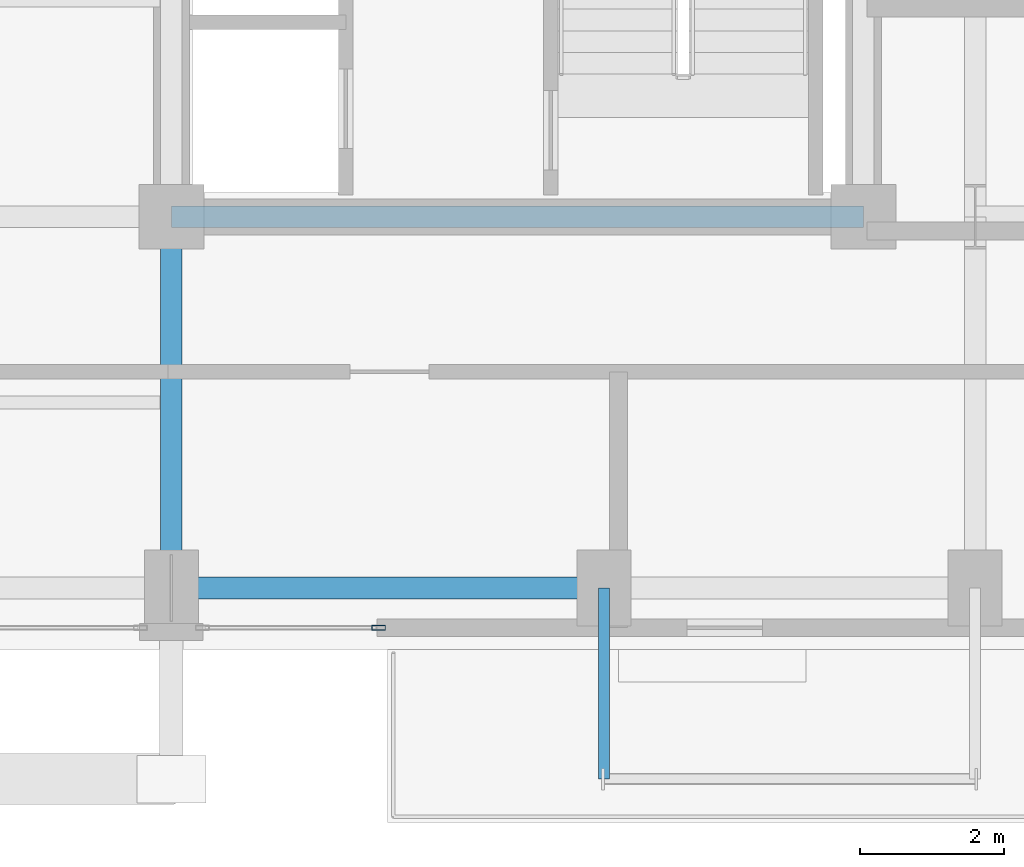
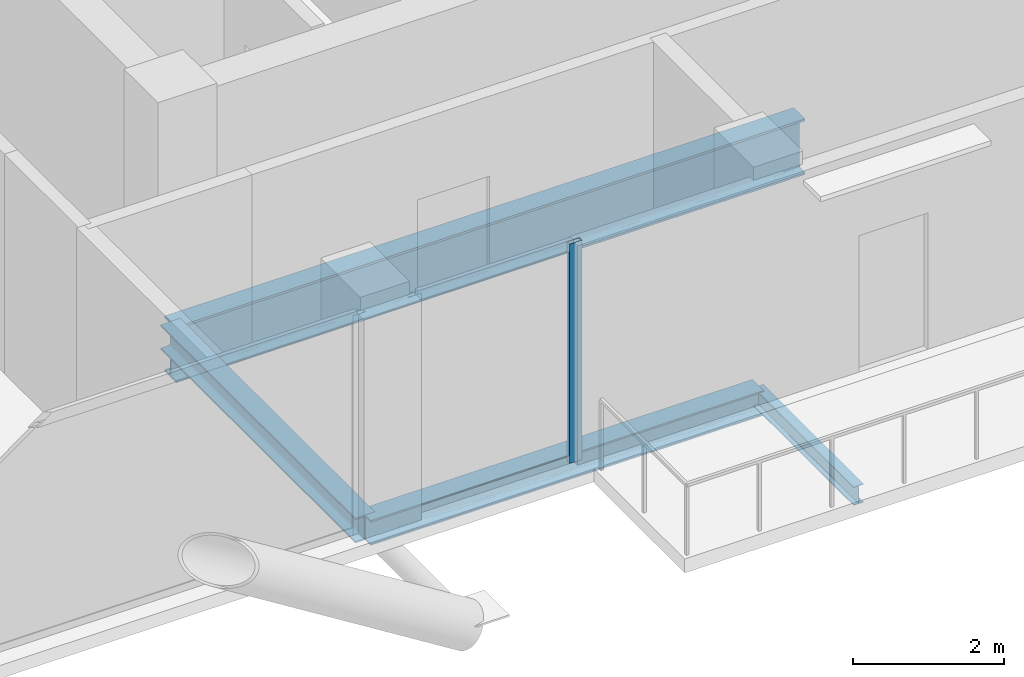
# One storey, part 5 of 26: 4 beams, 1 member, 1 element without a shape of its own.
"""IFC4 building model written with IfcOpenShell, lengths in metres."""

from ifc_helpers import new_model, si_unit, direction, frame, origin, origin_2d, place, context, subcontext, project, spatial, hollow_rectangle, i_section, extrude, material, layer, layer_set, material_profile, profile_set, type_object, element, aggregate, save


model = new_model("IFC4")

# Units and contexts
model_context = context("Model", 3, precision=1e-05, world=origin(), true_north=direction((0.0, 1.0)))
body_context = subcontext(model_context, "Body", "Model", "MODEL_VIEW")
ifc_project = project(units=[si_unit("LENGTHUNIT", "METRE"), si_unit("AREAUNIT", "SQUARE_METRE"), si_unit("VOLUMEUNIT", "CUBIC_METRE"), si_unit("PLANEANGLEUNIT", "RADIAN"), si_unit("MASSUNIT", "GRAM", prefix="KILO"), si_unit("THERMODYNAMICTEMPERATUREUNIT", "KELVIN"), si_unit("POWERUNIT", "WATT")], contexts=[model_context])

# Site, building, storey
site_placement = place(None, origin())
site = spatial("IfcSite", under=ifc_project, at=site_placement, CompositionType="ELEMENT")
building_placement = place(site_placement, origin())
building = spatial("IfcBuilding", under=site, at=building_placement, Name="Svarakhadi Broadcast Tower", CompositionType="ELEMENT")
storey_placement = place(building_placement, frame((0.0, 0.0, 184.199951171875)))
storey = spatial("IfcBuildingStorey", under=building, at=storey_placement, Name="L45", CompositionType="ELEMENT", Elevation=184.199951171875)

# Curtain wall, member
ifc_material_1 = material(Name="Anodised Bronze Aluminium AA 6063-T6", Category="aluminium")
ifc_layer = layer(ifc_material_1, 0.18994140625)
ifc_layer_set = layer_set([ifc_layer], Name="Anodised Bronze Aluminium AA 6063-T6")
curtain_wall_type = type_object("IfcCurtainWallType", Name="CW_Sys_04", PredefinedType="NOTDEFINED", material=ifc_layer_set)
curtain_wall_placement = place(storey_placement, origin())
curtain_wall = element("IfcCurtainWall", 1, at=curtain_wall_placement, inside=storey, type_object=curtain_wall_type, Name="L45 South Curtain Wall 16 Bay 1", PredefinedType="NOTDEFINED")
ifc_material_profile_1 = material_profile(ifc_material_1, hollow_rectangle(XDim=0.070068359375, YDim=0.18994140625, WallThickness=0.005615234375, at=origin_2d()), Name="ALU MULLION 190x70x6")
ifc_profile_set_1 = profile_set([ifc_material_profile_1], Name="Anodised Bronze Aluminium AA 6063-T6")
member_type = type_object("IfcMemberType", Name="CW_Sys_04_Mul", PredefinedType="MULLION", material=ifc_profile_set_1)
member_placement = place(storey_placement, frame((26.875, 0.300048828125, 0.0), z_axis=(0.0, 0.0, 1.0), x_axis=(0.0, -1.0, 0.0)))
member = element("IfcMember", 2, at=member_placement, type_object=member_type, Name="CW-04 mullion 1", PredefinedType="MULLION", context=body_context, shape_type="SweptSolid", body=[
    extrude(hollow_rectangle(XDim=0.070068359375, YDim=0.18994140625, WallThickness=0.005615234375, at=origin_2d()), origin(), (0.0, 0.0, 1.0), 3.5400390625),
])
aggregate(curtain_wall, [member])

# Beams
ifc_material_2 = material(Name="Steel S355J2 (IS 2062 E350C)", Category="steel")
ifc_material_profile_2 = material_profile(ifc_material_2, i_section(OverallWidth=0.300048828125, OverallDepth=0.39990234375, WebThickness=0.013427734375, FlangeThickness=0.02392578125, FilletRadius=0.027099609375, at=origin_2d()), Name="WPB 400x300x155")
ifc_profile_set_2 = profile_set([ifc_material_profile_2], Name="Steel S355J2 (IS 2062 E350C)")
beam_type_1 = type_object("IfcBeamType", Name="Girder_WPB400", PredefinedType="USERDEFINED", material=ifc_profile_set_2)
beam_1_placement = place(storey_placement, frame((24.0, 0.85009765625, -0.409912109375), z_axis=(1.0, 0.0, 0.0), x_axis=(0.0, 1.0, 0.0)))
element("IfcBeam", 3, at=beam_1_placement, inside=storey, type_object=beam_type_1, Name="L45 Primary E-W Girder G007", ObjectType="GIRDER", PredefinedType="USERDEFINED", context=body_context, shape_type="SweptSolid", body=[
    extrude(i_section(OverallWidth=0.300048828125, OverallDepth=0.39990234375, WebThickness=0.013427734375, FlangeThickness=0.02392578125, FilletRadius=0.027099609375, at=origin_2d()), origin(), (0.0, 0.0, 1.0), 6.0),
])
beam_2_placement = place(storey_placement, frame((24.0, 0.85009765625, -0.409912109375), z_axis=(0.0, 1.0, 0.0), x_axis=(-1.0, 0.0, 0.0)))
element("IfcBeam", 4, at=beam_2_placement, inside=storey, type_object=beam_type_1, Name="L45 Primary N-S Girder G051", ObjectType="GIRDER", PredefinedType="USERDEFINED", context=body_context, shape_type="SweptSolid", body=[
    extrude(i_section(OverallWidth=0.300048828125, OverallDepth=0.39990234375, WebThickness=0.013427734375, FlangeThickness=0.02392578125, FilletRadius=0.027099609375, at=origin_2d()), origin(), (0.0, 0.0, 1.0), 5.14990234375),
])
ifc_material_3 = material(Name="Steel S460ML (IS 2062 E450BR)", Category="steel")
ifc_material_profile_3 = material_profile(ifc_material_3, i_section(OverallWidth=0.300048828125, OverallDepth=0.89990234375, WebThickness=0.0185546875, FlangeThickness=0.034912109375, FilletRadius=0.030029296875, at=origin_2d()), Name="WPB 900x300x291")
ifc_profile_set_3 = profile_set([ifc_material_profile_3], Name="Steel S460ML (IS 2062 E450BR)")
beam_type_2 = type_object("IfcBeamType", Name="Girder_WPB900", PredefinedType="USERDEFINED", material=ifc_profile_set_3)
beam_3_placement = place(storey_placement, frame((24.0, 6.0, -0.659912109375), z_axis=(1.0, 0.0, 0.0), x_axis=(0.0, 1.0, 0.0)))
element("IfcBeam", 5, at=beam_3_placement, inside=storey, type_object=beam_type_2, Name="L45 Primary E-W Girder G013", ObjectType="GIRDER", PredefinedType="USERDEFINED", context=body_context, shape_type="SweptSolid", body=[
    extrude(i_section(OverallWidth=0.300048828125, OverallDepth=0.89990234375, WebThickness=0.0185546875, FlangeThickness=0.034912109375, FilletRadius=0.030029296875, at=origin_2d()), origin(), (0.0, 0.0, 1.0), 9.60009765625),
])
ifc_material_profile_4 = material_profile(ifc_material_2, i_section(OverallWidth=0.14990234375, OverallDepth=0.300048828125, WebThickness=0.007080078125, FlangeThickness=0.0107421875, FilletRadius=0.014892578125, at=origin_2d()), Name="NPB 300x150x37")
ifc_profile_set_4 = profile_set([ifc_material_profile_4], Name="Steel S355J2 (IS 2062 E350C)")
beam_type_3 = type_object("IfcBeamType", Name="Spandrel_NPB300", PredefinedType="SPANDREL", material=ifc_profile_set_4)
beam_4_placement = place(storey_placement, frame((30.0, 0.85009765625, -0.375), z_axis=(0.0, -1.0, 0.0), x_axis=(1.0, 0.0, 0.0)))
element("IfcBeam", 6, at=beam_4_placement, inside=storey, type_object=beam_type_3, Name="L45 Balcony Cantilever Bracket 1A", PredefinedType="SPANDREL", context=body_context, shape_type="SweptSolid", body=[
    extrude(i_section(OverallWidth=0.14990234375, OverallDepth=0.300048828125, WebThickness=0.007080078125, FlangeThickness=0.0107421875, FilletRadius=0.014892578125, at=origin_2d()), origin(), (0.0, 0.0, 1.0), 2.650146484375),
])

save(model, "model.ifc")
